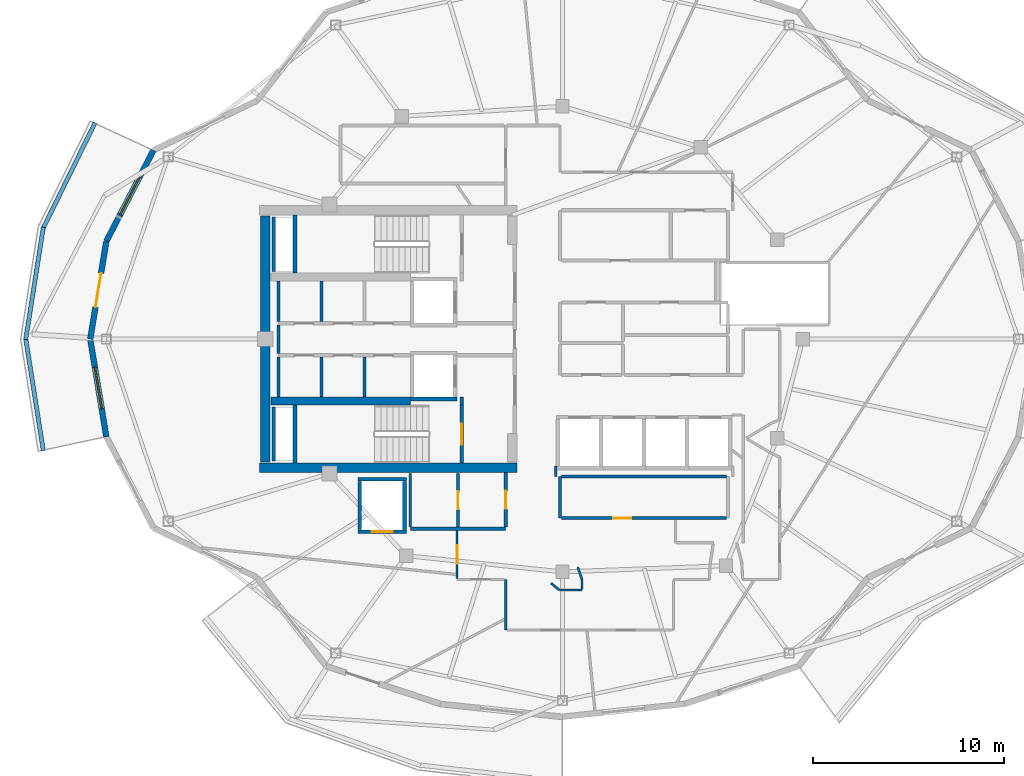
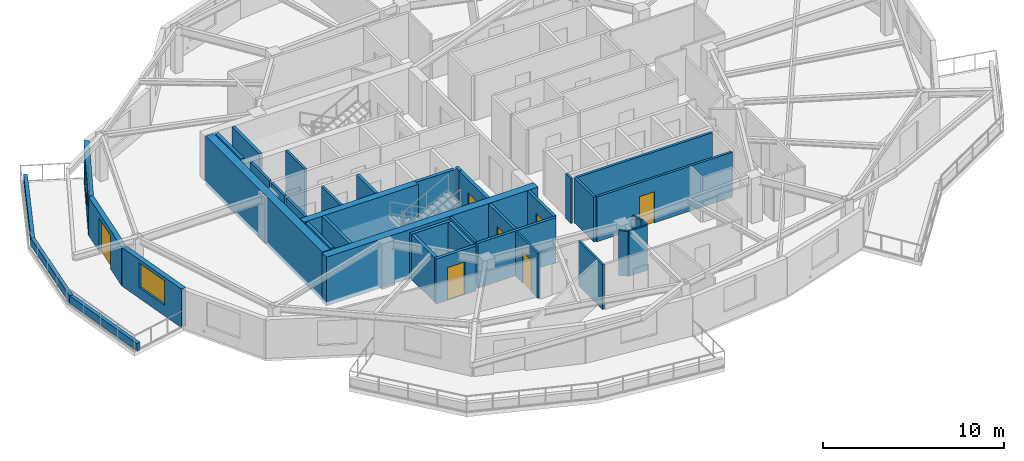
# One storey, part 3 of 10: 40 walls, 7 doors, 2 windows, 9 openings.
"""IFC4 building model written with IfcOpenShell, lengths in metres."""

from ifc_helpers import new_model, si_unit, direction, frame, frame_2d, origin, place, context, subcontext, project, spatial, rectangle, extrude, material, layer, layer_set, type_object, element, fill, save


model = new_model("IFC4")

# Units and contexts
model_context = context("Model", 3, precision=1e-05, world=origin(), true_north=direction((0.0, 1.0)))
body_context = subcontext(model_context, "Body", "Model", "MODEL_VIEW")
ifc_project = project(units=[si_unit("LENGTHUNIT", "METRE"), si_unit("AREAUNIT", "SQUARE_METRE"), si_unit("VOLUMEUNIT", "CUBIC_METRE"), si_unit("PLANEANGLEUNIT", "RADIAN"), si_unit("MASSUNIT", "GRAM", prefix="KILO")], contexts=[model_context])

# Site, building, storey
site_placement = place(None, origin())
site = spatial("IfcSite", under=ifc_project, at=site_placement, CompositionType="ELEMENT")
building_placement = place(site_placement, origin())
building = spatial("IfcBuilding", under=site, at=building_placement, Name="Kolvaren Gate Tower and Convention Centre", CompositionType="ELEMENT")
storey_placement = place(building_placement, frame((0.0, 0.0, 203.0)))
storey = spatial("IfcBuildingStorey", under=building, at=storey_placement, Name="L53", CompositionType="ELEMENT", Elevation=203.0)

# Walls
ifc_material_1 = material(Name="Autoclaved Aerated Masonry Blockwork Class 4 (4.0 MPa)", Category="masonry")
ifc_layer_1 = layer(ifc_material_1, 0.179931640625)
ifc_layer_set_1 = layer_set([ifc_layer_1], Name="Autoclaved Aerated Masonry Blockwork Class 4 (4.0 MPa)")
wall_type_1 = type_object("IfcWallType", Name="ARCH-WL-COMP-180", PredefinedType="SOLIDWALL", material=ifc_layer_set_1)
wall_1_placement = place(storey_placement, frame((24.85009765625, 23.5400390625, 0.0), z_axis=(0.0, 0.0, 1.0), x_axis=(0.0, 1.0, 0.0)))
element("IfcWall", 1, at=wall_1_placement, inside=storey, type_object=wall_type_1, Name="Interior Partition WL-L53-INT-001", PredefinedType="SOLIDWALL", context=body_context, shape_type="SweptSolid", body=[
    extrude(rectangle(XDim=0.419921875, YDim=0.179931640625, at=frame_2d((0.2099609375, 0.0))), origin(), (0.0, 0.0, 1.0), 3.030029296875),
])
wall_2_placement = place(storey_placement, frame((19.75, 23.9619140625, 0.0), z_axis=(0.0, 0.0, 1.0), x_axis=(0.0, 1.0, 0.0)))
element("IfcWall", 2, at=wall_2_placement, inside=storey, type_object=wall_type_1, Name="Interior Partition WL-L53-INT-007", PredefinedType="SOLIDWALL", context=body_context, shape_type="SweptSolid", body=[
    extrude(rectangle(XDim=2.106201171875, YDim=0.179931640625, at=frame_2d((1.05322265625, 0.0))), origin(), (0.0, 0.0, 1.0), 3.030029296875),
])
wall_3_placement = place(storey_placement, frame((22.14990234375, 17.050048828125, 0.0), z_axis=(0.0, 0.0, 1.0), x_axis=(1.0, 0.0, 0.0)))
element("IfcWall", 3, at=wall_3_placement, inside=storey, type_object=wall_type_1, Name="Interior Partition WL-L53-INT-011", PredefinedType="SOLIDWALL", context=body_context, shape_type="SweptSolid", body=[
    extrude(rectangle(XDim=5.0, YDim=0.179931640625, at=frame_2d((2.5, 0.0))), origin(), (0.0, 0.0, 1.0), 3.030029296875),
])

# Wall, opening, door
wall_4_placement = place(storey_placement, frame((24.64990234375, 17.14208984375, 0.0), z_axis=(0.0, 0.0, 1.0), x_axis=(0.0, 1.0, 0.0)))
wall_4 = element("IfcWall", 4, at=wall_4_placement, inside=storey, type_object=wall_type_1, Name="Interior Partition WL-L53-INT-013", PredefinedType="SOLIDWALL", context=body_context, shape_type="SweptSolid", body=[
    extrude(rectangle(XDim=2.807861328125, YDim=0.179931640625, at=frame_2d((1.40380859375, 0.0))), origin(), (0.0, 0.0, 1.0), 3.030029296875),
])
opening_1_placement = place(wall_4_placement, frame((0.928955078125, 0.0, 0.0)))
opening_1 = element("IfcOpeningElement", 5, at=opening_1_placement, cuts=wall_4, Name="Opening DR-01", PredefinedType="OPENING", context=body_context, shape_type="SweptSolid", body=[
    extrude(rectangle(XDim=0.949951171875, YDim=2.10009765625, at=frame_2d((0.47509765625, 1.050048828125))), frame((0.0, 0.099853515625, 0.0), z_axis=(0.0, -1.0, 0.0), x_axis=(1.0, 0.0, 0.0)), (0.0, 0.0, 1.0), 0.199951171875),
])
ifc_material_2 = material(Name="Painted Architectural Steelwork ASTM A500 Grade C 345 MPa", Category="steel")
door_type_1 = type_object("IfcDoorType", Name="ARCH-DR-RISER-950", OperationType="SINGLE_SWING_RIGHT", PredefinedType="DOOR", material=ifc_material_2)
door_1_placement = place(opening_1_placement, origin())
door_1 = element("IfcDoor", 6, at=door_1_placement, inside=storey, type_object=door_type_1, Name="West Valet Store Door", OperationType="SINGLE_SWING_LEFT", OverallHeight=2.10009765625, OverallWidth=0.949951171875, PredefinedType="DOOR", context=body_context, shape_type="SweptSolid", body=[
    extrude(rectangle(XDim=0.949951171875, YDim=2.10009765625, at=frame_2d((0.47509765625, 1.050048828125))), frame((0.0, 0.02490234375, 0.0), z_axis=(0.0, -1.0, 0.0), x_axis=(1.0, 0.0, 0.0)), (0.0, 0.0, 1.0), 0.050048828125),
])
fill(opening_1, door_1)

wall_5_placement = place(storey_placement, frame((27.14990234375, 17.14208984375, 0.0), z_axis=(0.0, 0.0, 1.0), x_axis=(0.0, 1.0, 0.0)))
wall_5 = element("IfcWall", 7, at=wall_5_placement, inside=storey, type_object=wall_type_1, Name="Interior Partition WL-L53-INT-015", PredefinedType="SOLIDWALL", context=body_context, shape_type="SweptSolid", body=[
    extrude(rectangle(XDim=2.85595703125, YDim=0.179931640625, at=frame_2d((1.427978515625, 0.0))), origin(), (0.0, 0.0, 1.0), 3.030029296875),
])
opening_2_placement = place(wall_5_placement, frame((0.952880859375, 0.0, 0.0)))
opening_2 = element("IfcOpeningElement", 8, at=opening_2_placement, cuts=wall_5, Name="Opening DR-01", PredefinedType="OPENING", context=body_context, shape_type="SweptSolid", body=[
    extrude(rectangle(XDim=0.949951171875, YDim=2.10009765625, at=frame_2d((0.47509765625, 1.050048828125))), frame((0.0, 0.099853515625, 0.0), z_axis=(0.0, -1.0, 0.0), x_axis=(1.0, 0.0, 0.0)), (0.0, 0.0, 1.0), 0.199951171875),
])
door_2_placement = place(opening_2_placement, origin())
door_2 = element("IfcDoor", 9, at=door_2_placement, inside=storey, type_object=door_type_1, Name="Metering Switch Room Door", OperationType="SINGLE_SWING_LEFT", OverallHeight=2.10009765625, OverallWidth=0.949951171875, PredefinedType="DOOR", context=body_context, shape_type="SweptSolid", body=[
    extrude(rectangle(XDim=0.949951171875, YDim=2.10009765625, at=frame_2d((0.47509765625, 1.050048828125))), frame((0.0, 0.02490234375, 0.0), z_axis=(0.0, -1.0, 0.0), x_axis=(1.0, 0.0, 0.0)), (0.0, 0.0, 1.0), 0.050048828125),
])
fill(opening_2, door_2)

# Walls
ifc_material_3 = material(Name="Fire-Rated Acoustic Gypsum Stud Partition", Category="gypsum")
ifc_layer_2 = layer(ifc_material_3, 0.1201171875)
ifc_layer_set_2 = layer_set([ifc_layer_2], Name="Fire-Rated Acoustic Gypsum Stud Partition")
wall_type_2 = type_object("IfcWallType", Name="ARCH-WL-PART-120", PredefinedType="PARTITIONING", material=ifc_layer_set_2)
wall_6_placement = place(storey_placement, frame((27.14990234375, 11.75, 0.0), z_axis=(0.0, 0.0, 1.0), x_axis=(0.0, 1.0, 0.0)))
element("IfcWall", 10, at=wall_6_placement, inside=storey, type_object=wall_type_2, Name="Interior Partition WL-L53-INT-014", PredefinedType="PARTITIONING", context=body_context, shape_type="SweptSolid", body=[
    extrude(rectangle(XDim=2.64990234375, YDim=0.1201171875, at=frame_2d((1.324951171875, 0.0))), origin(), (0.0, 0.0, 1.0), 3.030029296875),
])
wall_7_placement = place(storey_placement, frame((29.780029296875, 19.800048828125, 0.0), z_axis=(0.0, 0.0, 1.0), x_axis=(0.0, 1.0, 0.0)))
element("IfcWall", 11, at=wall_7_placement, inside=storey, type_object=wall_type_2, Name="Interior Partition WL-L53-INT-056", PredefinedType="PARTITIONING", context=body_context, shape_type="SweptSolid", body=[
    extrude(rectangle(XDim=0.56005859375, YDim=0.1201171875, at=frame_2d((0.280029296875, 0.0))), origin(), (0.0, 0.0, 1.0), 3.030029296875),
])

# Wall, opening, door
wall_8_placement = place(storey_placement, frame((24.60009765625, 14.4619140625, 0.0), z_axis=(0.0, 0.0, 1.0), x_axis=(0.0, 1.0, 0.0)))
wall_8 = element("IfcWall", 12, at=wall_8_placement, inside=storey, type_object=wall_type_2, Name="Interior Partition WL-L53-INT-063", PredefinedType="PARTITIONING", context=body_context, shape_type="SweptSolid", body=[
    extrude(rectangle(XDim=2.49609375, YDim=0.1201171875, at=frame_2d((1.248046875, 0.0))), origin(), (0.0, 0.0, 1.0), 3.030029296875),
])
opening_3_placement = place(wall_8_placement, frame((0.77294921875, 0.0, 0.0)))
opening_3 = element("IfcOpeningElement", 13, at=opening_3_placement, cuts=wall_8, Name="Opening DR-01", PredefinedType="OPENING", context=body_context, shape_type="SweptSolid", body=[
    extrude(rectangle(XDim=0.949951171875, YDim=2.10009765625, at=frame_2d((0.47509765625, 1.050048828125))), frame((0.0, 0.070068359375, 0.0), z_axis=(0.0, -1.0, 0.0), x_axis=(1.0, 0.0, 0.0)), (0.0, 0.0, 1.0), 0.14013671875),
])
door_3_placement = place(opening_3_placement, origin())
door_3 = element("IfcDoor", 14, at=door_3_placement, inside=storey, type_object=door_type_1, Name="Resident Private Study and Home Office Door", OperationType="SINGLE_SWING_RIGHT", OverallHeight=2.10009765625, OverallWidth=0.949951171875, PredefinedType="DOOR", context=body_context, shape_type="SweptSolid", body=[
    extrude(rectangle(XDim=0.949951171875, YDim=2.10009765625, at=frame_2d((0.47509765625, 1.050048828125))), frame((0.0, 0.02490234375, 0.0), z_axis=(0.0, -1.0, 0.0), x_axis=(1.0, 0.0, 0.0)), (0.0, 0.0, 1.0), 0.050048828125),
])
fill(opening_3, door_3)

# Walls
wall_9_placement = place(storey_placement, frame((29.9599609375, 13.85009765625, 0.0), z_axis=(0.0, 0.0, 1.0), x_axis=(1.0, 0.0, 0.0)))
element("IfcWall", 15, at=wall_9_placement, inside=storey, type_object=wall_type_2, Name="Interior Partition WL-L53-INT-064", PredefinedType="PARTITIONING", context=body_context, shape_type="SweptSolid", body=[
    extrude(rectangle(XDim=1.18994140625, YDim=0.1201171875, at=frame_2d((0.594970703125, 0.0))), origin(), (0.0, 0.0, 1.0), 3.030029296875),
])
wall_10_placement = place(storey_placement, frame((31.14990234375, 13.912109375, 0.0), z_axis=(0.0, 0.0, 1.0), x_axis=(0.0, 1.0, 0.0)))
element("IfcWall", 16, at=wall_10_placement, inside=storey, type_object=wall_type_2, Name="Interior Partition WL-L53-INT-065", PredefinedType="PARTITIONING", context=body_context, shape_type="SweptSolid", body=[
    extrude(rectangle(XDim=0.48779296875, YDim=0.1201171875, at=frame_2d((0.243896484375, 0.0))), origin(), (0.0, 0.0, 1.0), 3.030029296875),
])
wall_11_placement = place(storey_placement, frame((30.928955078125, 15.0439453125, 0.0), z_axis=(0.0, 0.0, 1.0), x_axis=(0.324498492416, -0.945886213252, 0.0)))
element("IfcWall", 17, at=wall_11_placement, inside=storey, type_object=wall_type_2, Name="Interior Partition WL-L53-INT-066", PredefinedType="PARTITIONING", context=body_context, shape_type="SweptSolid", body=[
    extrude(rectangle(XDim=0.680908203125, YDim=0.1201171875, at=frame_2d((0.34033203125, 0.0))), origin(), (0.0, 0.0, 1.0), 3.030029296875),
])
wall_12_placement = place(storey_placement, frame((29.531005859375, 14.2060546875, 0.0), z_axis=(0.0, 0.0, 1.0), x_axis=(0.7695479554, -0.638589026166, 0.0)))
element("IfcWall", 18, at=wall_12_placement, inside=storey, type_object=wall_type_2, Name="Interior Partition WL-L53-INT-067", PredefinedType="PARTITIONING", context=body_context, shape_type="SweptSolid", body=[
    extrude(rectangle(XDim=0.557373046875, YDim=0.1201171875, at=frame_2d((0.27880859375, 0.0))), origin(), (0.0, 0.0, 1.0), 3.030029296875),
])
ifc_material_4 = material(Name="Piedmont Cream Honed Limestone Cladding", Category="masonry")
ifc_layer_3 = layer(ifc_material_4, 0.219970703125)
ifc_layer_set_3 = layer_set([ifc_layer_3], Name="Piedmont Cream Honed Limestone Cladding")
wall_type_3 = type_object("IfcWallType", Name="ARCH-WL-PLANTER-220", PredefinedType="PARAPET", material=ifc_layer_set_3)
wall_13_placement = place(storey_placement, frame((2.905517578125, 32.8037109375, 0.0), z_axis=(0.0, 0.0, 1.0), x_axis=(0.441640961804, 0.897191875162, 0.0)))
element("IfcWall", 19, at=wall_13_placement, inside=storey, type_object=wall_type_3, Name="Vertical-Forest Balcony Stone Planter Kerb PK-L53-2.1", PredefinedType="PARAPET", context=body_context, shape_type="SweptSolid", body=[
    extrude(rectangle(XDim=6.17822265625, YDim=0.219970703125, at=frame_2d((3.089111328125, 0.0))), origin(), (0.0, 0.0, 1.0), 0.52001953125),
])
for number, where, z_axis, x_axis, name in (
    (20, (1.993408203125, 26.970703125, 0.0), (0.0, 0.0, 1.0), (0.1550711793, 0.987903299595, 0.0), "Vertical-Forest Balcony Stone Planter Kerb PK-L53-2.2"),
    (21, (1.993408203125, 27.029296875, 0.0), (0.0, 0.0, 1.0), (0.1550711793, -0.987903299595, 0.0), "Vertical-Forest Balcony Stone Planter Kerb PK-L53-2.3"),
):
    element("IfcWall", number, at=place(storey_placement, frame(where, z_axis=z_axis, x_axis=x_axis)), inside=storey, type_object=wall_type_3, Name=name, PredefinedType="PARAPET", context=body_context, shape_type="SweptSolid", body=[
        extrude(rectangle(XDim=5.963623046875, YDim=0.219970703125, at=frame_2d((2.98193359375, 0.0))), origin(), (0.0, 0.0, 1.0), 0.52001953125),
    ])
ifc_layer_4 = layer(ifc_material_1, 0.199951171875)
ifc_layer_set_4 = layer_set([ifc_layer_4], Name="Autoclaved Aerated Masonry Blockwork Class 4 (4.0 MPa)")
wall_type_4 = type_object("IfcWallType", Name="ARCH-WL-SHAFT-200", PredefinedType="SOLIDWALL", material=ifc_layer_set_4)
wall_14_placement = place(storey_placement, frame((22.14990234375, 23.860107421875, 0.0), z_axis=(0.0, 0.0, 1.0), x_axis=(1.0, 0.0, 0.0)))
element("IfcWall", 22, at=wall_14_placement, inside=storey, type_object=wall_type_4, Name="Elevator FF-02 L53 Fire Shaft Wall S", PredefinedType="SOLIDWALL", context=body_context, shape_type="SweptSolid", body=[
    extrude(rectangle(XDim=2.4501953125, YDim=0.199951171875, at=frame_2d((1.22509765625, 0.0))), origin(), (0.0, 0.0, 1.0), 3.030029296875),
])
wall_15_placement = place(storey_placement, frame((19.39990234375, 19.64990234375, 0.0), z_axis=(0.0, 0.0, 1.0), x_axis=(1.0, 0.0, 0.0)))
element("IfcWall", 23, at=wall_15_placement, inside=storey, type_object=wall_type_4, Name="Elevator SV-01 L53 Fire Shaft Wall N", PredefinedType="SOLIDWALL", context=body_context, shape_type="SweptSolid", body=[
    extrude(rectangle(XDim=2.550048828125, YDim=0.199951171875, at=frame_2d((1.27490234375, 0.0))), origin(), (0.0, 0.0, 1.0), 3.030029296875),
])

# Wall, opening, door
wall_16_placement = place(storey_placement, frame((19.39990234375, 16.89990234375, 0.0), z_axis=(0.0, 0.0, 1.0), x_axis=(1.0, 0.0, 0.0)))
wall_16 = element("IfcWall", 24, at=wall_16_placement, inside=storey, type_object=wall_type_4, Name="Elevator SV-01 L53 Fire Shaft Wall S", PredefinedType="SOLIDWALL", context=body_context, shape_type="SweptSolid", body=[
    extrude(rectangle(XDim=2.550048828125, YDim=0.199951171875, at=frame_2d((1.27490234375, 0.0))), origin(), (0.0, 0.0, 1.0), 3.030029296875),
])
opening_4_placement = place(wall_16_placement, frame((0.72509765625, 0.0, 0.0)))
opening_4 = element("IfcOpeningElement", 25, at=opening_4_placement, cuts=wall_16, Name="Opening LD", PredefinedType="OPENING", context=body_context, shape_type="SweptSolid", body=[
    extrude(rectangle(XDim=1.10009765625, YDim=2.199951171875, at=frame_2d((0.550048828125, 1.10009765625))), frame((0.0, 0.10986328125, 0.0), z_axis=(0.0, -1.0, 0.0), x_axis=(1.0, 0.0, 0.0)), (0.0, 0.0, 1.0), 0.219970703125),
])
ifc_material_5 = material(Name="Brushed Stainless Steel Grade 316L", Category="steel")
door_type_2 = type_object("IfcDoorType", Name="ARCH-DR-LIFT-1100", OperationType="SLIDING_TO_LEFT", PredefinedType="DOOR", material=ifc_material_5)
door_4_placement = place(opening_4_placement, origin())
door_4 = element("IfcDoor", 26, at=door_4_placement, inside=storey, type_object=door_type_2, Name="Elevator SV-01 L53 Sliding Landing Door", OperationType="SLIDING_TO_LEFT", OverallHeight=2.199951171875, OverallWidth=1.10009765625, PredefinedType="DOOR", context=body_context, shape_type="SweptSolid", body=[
    extrude(rectangle(XDim=1.10009765625, YDim=2.199951171875, at=frame_2d((0.550048828125, 1.10009765625))), frame((0.0, 0.02490234375, 0.0), z_axis=(0.0, -1.0, 0.0), x_axis=(1.0, 0.0, 0.0)), (0.0, 0.0, 1.0), 0.050048828125),
])
fill(opening_4, door_4)

# Walls
for number, where, z_axis, x_axis, name in (
    (27, (19.5, 17.010009765625, 0.0), (0.0, 0.0, 1.0), (0.0, 1.0, 0.0), "Elevator SV-01 L53 Fire Shaft Wall W"),
    (28, (21.85009765625, 17.010009765625, 0.0), (0.0, 0.0, 1.0), (0.0, 1.0, 0.0), "Elevator SV-01 L53 Fire Shaft Wall E"),
):
    element("IfcWall", number, at=place(storey_placement, frame(where, z_axis=z_axis, x_axis=x_axis)), inside=storey, type_object=wall_type_4, Name=name, PredefinedType="SOLIDWALL", context=body_context, shape_type="SweptSolid", body=[
        extrude(rectangle(XDim=2.530029296875, YDim=0.199951171875, at=frame_2d((1.26513671875, 0.0))), origin(), (0.0, 0.0, 1.0), 3.030029296875),
    ])
for number, where, z_axis, x_axis, name in (
    (29, (14.989990234375, 30.550048828125, 0.0), (0.0, 0.0, 1.0), (0.0, 1.0, 0.0), "Vertical Shaft HVR L53 EI-120 Enclosure Wall W"),
    (30, (14.989990234375, 20.60009765625, 0.0), (0.0, 0.0, 1.0), (0.0, 1.0, 0.0), "Vertical Shaft MPR L53 EI-120 Enclosure Wall W"),
):
    element("IfcWall", number, at=place(storey_placement, frame(where, z_axis=z_axis, x_axis=x_axis)), inside=storey, type_object=wall_type_4, Name=name, PredefinedType="SOLIDWALL", context=body_context, shape_type="SweptSolid", body=[
        extrude(rectangle(XDim=2.849853515625, YDim=0.199951171875, at=frame_2d((1.4248046875, 0.0))), origin(), (0.0, 0.0, 1.0), 3.030029296875),
    ])

# Wall, opening, window
ifc_layer_5 = layer(ifc_material_4, 0.300048828125)
ifc_layer_set_5 = layer_set([ifc_layer_5], Name="Piedmont Cream Honed Limestone Cladding")
wall_type_5 = type_object("IfcWallType", Name="ARCH-WL-STONE-300", PredefinedType="SOLIDWALL", material=ifc_layer_set_5)
wall_17_placement = place(storey_placement, frame((6.21826171875, 32.12451171875, 0.0), z_axis=(0.0, 0.0, 1.0), x_axis=(0.459808219482, 0.888018243786, 0.0)))
wall_17 = element("IfcWall", 31, at=wall_17_placement, inside=storey, type_object=wall_type_5, Name="Tower L53 Honed Stone Spandrel Wall EW-10", PredefinedType="SOLIDWALL", context=body_context, shape_type="SweptSolid", body=[
    extrude(rectangle(XDim=5.377685546875, YDim=0.300048828125, at=frame_2d((2.68896484375, 0.0))), origin(), (0.0, 0.0, 1.0), 2.60498046875),
])
opening_5_placement = place(wall_17_placement, frame((1.589111328125, 0.0, 0.719970703125)))
opening_5 = element("IfcOpeningElement", 32, at=opening_5_placement, cuts=wall_17, Name="Opening W-03", PredefinedType="OPENING", context=body_context, shape_type="SweptSolid", body=[
    extrude(rectangle(XDim=2.199951171875, YDim=1.64990234375, at=frame_2d((1.10009765625, 0.824951171875))), frame((0.0, 0.159912109375, 0.0), z_axis=(0.0, -1.0, 0.0), x_axis=(1.0, 0.0, 0.0)), (0.0, 0.0, 1.0), 0.320068359375),
])
ifc_material_6 = material(Name="Low-E Triple Insulated Glazing Unit 44 mm", Category="glass")
window_type = type_object("IfcWindowType", Name="ARCH-WN-RES-2200", PartitioningType="SINGLE_PANEL", PredefinedType="WINDOW", material=ifc_material_6)
window_1_placement = place(opening_5_placement, origin())
window_1 = element("IfcWindow", 33, at=window_1_placement, inside=storey, type_object=window_type, Name="Tower L53 Punched Stone Facade Window W-10", OverallHeight=1.64990234375, OverallWidth=2.199951171875, PartitioningType="SINGLE_PANEL", PredefinedType="WINDOW", context=body_context, shape_type="SweptSolid", body=[
    extrude(rectangle(XDim=2.199951171875, YDim=1.64990234375, at=frame_2d((1.10009765625, 0.824951171875))), frame((0.0, 0.030029296875, 0.0), z_axis=(0.0, -1.0, 0.0), x_axis=(1.0, 0.0, 0.0)), (0.0, 0.0, 1.0), 0.06005859375),
])
fill(opening_5, window_1)

# Wall, opening, door
wall_18_placement = place(storey_placement, frame((5.375, 27.0, 0.0), z_axis=(0.0, 0.0, 1.0), x_axis=(0.16237087798, 0.986729799886, 0.0)))
wall_18 = element("IfcWall", 34, at=wall_18_placement, inside=storey, type_object=wall_type_5, Name="Tower L53 Honed Stone Spandrel Wall EW-11", PredefinedType="SOLIDWALL", context=body_context, shape_type="SweptSolid", body=[
    extrude(rectangle(XDim=5.193359375, YDim=0.300048828125, at=frame_2d((2.5966796875, 0.0))), origin(), (0.0, 0.0, 1.0), 2.60498046875),
])
opening_6_placement = place(wall_18_placement, frame((1.697021484375, 0.0, 0.0)))
opening_6 = element("IfcOpeningElement", 35, at=opening_6_placement, cuts=wall_18, Name="Opening DB-01", PredefinedType="OPENING", context=body_context, shape_type="SweptSolid", body=[
    extrude(rectangle(XDim=1.800048828125, YDim=2.25, at=frame_2d((0.89990234375, 1.125))), frame((0.0, 0.159912109375, 0.0), z_axis=(0.0, -1.0, 0.0), x_axis=(1.0, 0.0, 0.0)), (0.0, 0.0, 1.0), 0.320068359375),
])
ifc_material_7 = material(Name="Anodized Architectural Aluminium Alloy 6063-T6", Category="aluminium")
door_type_3 = type_object("IfcDoorType", Name="ARCH-DR-BALC-1800", OperationType="SLIDING_TO_LEFT", PredefinedType="DOOR", material=ifc_material_7)
door_5_placement = place(opening_6_placement, origin())
door_5 = element("IfcDoor", 36, at=door_5_placement, inside=storey, type_object=door_type_3, Name="Planted Sky Terrace Access Door DB-L53-11", OperationType="SLIDING_TO_LEFT", OverallHeight=2.25, OverallWidth=1.800048828125, PredefinedType="DOOR", context=body_context, shape_type="SweptSolid", body=[
    extrude(rectangle(XDim=1.800048828125, YDim=2.25, at=frame_2d((0.89990234375, 1.125))), frame((0.0, 0.02490234375, 0.0), z_axis=(0.0, -1.0, 0.0), x_axis=(1.0, 0.0, 0.0)), (0.0, 0.0, 1.0), 0.050048828125),
])
fill(opening_6, door_5)

# Wall, opening, window
wall_19_placement = place(storey_placement, frame((5.375, 27.0, 0.0), z_axis=(0.0, 0.0, 1.0), x_axis=(0.16237087798, -0.986729799886, 0.0)))
wall_19 = element("IfcWall", 37, at=wall_19_placement, inside=storey, type_object=wall_type_5, Name="Tower L53 Honed Stone Spandrel Wall EW-12", PredefinedType="SOLIDWALL", context=body_context, shape_type="SweptSolid", body=[
    extrude(rectangle(XDim=5.193359375, YDim=0.300048828125, at=frame_2d((2.5966796875, 0.0))), origin(), (0.0, 0.0, 1.0), 2.60498046875),
])
opening_7_placement = place(wall_19_placement, frame((1.4970703125, 0.0, 0.719970703125)))
opening_7 = element("IfcOpeningElement", 38, at=opening_7_placement, cuts=wall_19, Name="Opening W-03", PredefinedType="OPENING", context=body_context, shape_type="SweptSolid", body=[
    extrude(rectangle(XDim=2.199951171875, YDim=1.64990234375, at=frame_2d((1.10009765625, 0.824951171875))), frame((0.0, 0.159912109375, 0.0), z_axis=(0.0, -1.0, 0.0), x_axis=(1.0, 0.0, 0.0)), (0.0, 0.0, 1.0), 0.320068359375),
])
window_2_placement = place(opening_7_placement, origin())
window_2 = element("IfcWindow", 39, at=window_2_placement, inside=storey, type_object=window_type, Name="Tower L53 Punched Stone Facade Window W-12", OverallHeight=1.64990234375, OverallWidth=2.199951171875, PartitioningType="SINGLE_PANEL", PredefinedType="WINDOW", context=body_context, shape_type="SweptSolid", body=[
    extrude(rectangle(XDim=2.199951171875, YDim=1.64990234375, at=frame_2d((1.10009765625, 0.824951171875))), frame((0.0, 0.030029296875, 0.0), z_axis=(0.0, -1.0, 0.0), x_axis=(1.0, 0.0, 0.0)), (0.0, 0.0, 1.0), 0.06005859375),
])
fill(opening_7, window_2)

# Walls
ifc_material_8 = material(Name="Moisture-Resistant Cement-Board Acoustic Partition", Category="gypsum")
ifc_layer_6 = layer(ifc_material_8, 0.14990234375)
ifc_layer_set_6 = layer_set([ifc_layer_6], Name="Moisture-Resistant Cement-Board Acoustic Partition")
wall_type_6 = type_object("IfcWallType", Name="ARCH-WL-WET-150", PredefinedType="PARTITIONING", material=ifc_layer_set_6)
wall_20_placement = place(storey_placement, frame((15.25, 23.9619140625, 0.0), z_axis=(0.0, 0.0, 1.0), x_axis=(0.0, 1.0, 0.0)))
element("IfcWall", 40, at=wall_20_placement, inside=storey, type_object=wall_type_6, Name="Interior Partition WL-L53-INT-006", PredefinedType="PARTITIONING", context=body_context, shape_type="SweptSolid", body=[
    extrude(rectangle(XDim=2.106201171875, YDim=0.14990234375, at=frame_2d((1.05322265625, 0.0))), origin(), (0.0, 0.0, 1.0), 3.030029296875),
])
wall_21_placement = place(storey_placement, frame((15.25, 26.251953125, 0.0), z_axis=(0.0, 0.0, 1.0), x_axis=(0.0, 1.0, 0.0)))
element("IfcWall", 41, at=wall_21_placement, inside=storey, type_object=wall_type_6, Name="Interior Partition WL-L53-INT-006 (2)", PredefinedType="PARTITIONING", context=body_context, shape_type="SweptSolid", body=[
    extrude(rectangle(XDim=1.49609375, YDim=0.14990234375, at=frame_2d((0.748046875, 0.0))), origin(), (0.0, 0.0, 1.0), 3.030029296875),
])
for number, where, z_axis, x_axis, name in (
    (42, (15.25, 27.931884765625, 0.0), (0.0, 0.0, 1.0), (0.0, 1.0, 0.0), "Interior Partition WL-L53-INT-006 (3)"),
    (43, (17.5, 23.9619140625, 0.0), (0.0, 0.0, 1.0), (0.0, 1.0, 0.0), "Interior Partition WL-L53-INT-009"),
    (44, (17.5, 27.931884765625, 0.0), (0.0, 0.0, 1.0), (0.0, 1.0, 0.0), "Interior Partition WL-L53-INT-010"),
):
    element("IfcWall", number, at=place(storey_placement, frame(where, z_axis=z_axis, x_axis=x_axis)), inside=storey, type_object=wall_type_6, Name=name, PredefinedType="PARTITIONING", context=body_context, shape_type="SweptSolid", body=[
        extrude(rectangle(XDim=2.106201171875, YDim=0.14990234375, at=frame_2d((1.05322265625, 0.0))), origin(), (0.0, 0.0, 1.0), 3.030029296875),
    ])
wall_22_placement = place(storey_placement, frame((22.14990234375, 17.14208984375, 0.0), z_axis=(0.0, 0.0, 1.0), x_axis=(0.0, 1.0, 0.0)))
element("IfcWall", 45, at=wall_22_placement, inside=storey, type_object=wall_type_6, Name="Interior Partition WL-L53-INT-012", PredefinedType="PARTITIONING", context=body_context, shape_type="SweptSolid", body=[
    extrude(rectangle(XDim=2.807861328125, YDim=0.14990234375, at=frame_2d((1.40380859375, 0.0))), origin(), (0.0, 0.0, 1.0), 3.030029296875),
])
wall_23_placement = place(storey_placement, frame((30.0, 17.6201171875, 0.0), z_axis=(0.0, 0.0, 1.0), x_axis=(0.0, 1.0, 0.0)))
element("IfcWall", 46, at=wall_23_placement, inside=storey, type_object=wall_type_6, Name="Interior Partition WL-L53-INT-018", PredefinedType="PARTITIONING", context=body_context, shape_type="SweptSolid", body=[
    extrude(rectangle(XDim=2.179931640625, YDim=0.14990234375, at=frame_2d((1.08984375, 0.0))), origin(), (0.0, 0.0, 1.0), 3.030029296875),
])

# Wall, opening, door
wall_24_placement = place(storey_placement, frame((30.076904296875, 17.6201171875, 0.0), z_axis=(0.0, 0.0, 1.0), x_axis=(1.0, 0.0, 0.0)))
wall_24 = element("IfcWall", 47, at=wall_24_placement, inside=storey, type_object=wall_type_6, Name="Interior Partition WL-L53-INT-032", PredefinedType="PARTITIONING", context=body_context, shape_type="SweptSolid", body=[
    extrude(rectangle(XDim=8.64599609375, YDim=0.14990234375, at=frame_2d((4.322998046875, 0.0))), origin(), (0.0, 0.0, 1.0), 3.030029296875),
])
opening_8_placement = place(wall_24_placement, frame((2.716552734375, 0.0, 0.0)))
opening_8 = element("IfcOpeningElement", 48, at=opening_8_placement, cuts=wall_24, Name="Opening DR-01", PredefinedType="OPENING", context=body_context, shape_type="SweptSolid", body=[
    extrude(rectangle(XDim=0.949951171875, YDim=2.10009765625, at=frame_2d((0.47509765625, 1.050048828125))), frame((0.0, 0.0849609375, 0.0), z_axis=(0.0, -1.0, 0.0), x_axis=(1.0, 0.0, 0.0)), (0.0, 0.0, 1.0), 0.169921875),
])
door_6_placement = place(opening_8_placement, origin())
door_6 = element("IfcDoor", 49, at=door_6_placement, inside=storey, type_object=door_type_1, Name="Resident Luggage Store Door", OperationType="SINGLE_SWING_RIGHT", OverallHeight=2.10009765625, OverallWidth=0.949951171875, PredefinedType="DOOR", context=body_context, shape_type="SweptSolid", body=[
    extrude(rectangle(XDim=0.949951171875, YDim=2.10009765625, at=frame_2d((0.47509765625, 1.050048828125))), frame((0.0, 0.02490234375, 0.0), z_axis=(0.0, -1.0, 0.0), x_axis=(1.0, 0.0, 0.0)), (0.0, 0.0, 1.0), 0.050048828125),
])
fill(opening_8, door_6)

# Walls
wall_25_placement = place(storey_placement, frame((30.076904296875, 19.800048828125, 0.0), z_axis=(0.0, 0.0, 1.0), x_axis=(1.0, 0.0, 0.0)))
element("IfcWall", 50, at=wall_25_placement, inside=storey, type_object=wall_type_6, Name="Interior Partition WL-L53-INT-033", PredefinedType="PARTITIONING", context=body_context, shape_type="SweptSolid", body=[
    extrude(rectangle(XDim=8.64599609375, YDim=0.14990234375, at=frame_2d((4.322998046875, 0.0))), origin(), (0.0, 0.0, 1.0), 3.030029296875),
])
ifc_material_9 = material(Name="Concrete C50/60", Category="concrete")
ifc_layer_7 = layer(ifc_material_9, 0.419921875)
ifc_layer_set_7 = layer_set([ifc_layer_7], Name="Concrete C50/60")
wall_type_7 = type_object("IfcWallType", Name="STR-WL-CONV-420", PredefinedType="SHEAR", material=ifc_layer_set_7)
wall_26_placement = place(storey_placement, frame((14.85009765625, 23.75, -0.27001953125), z_axis=(0.0, 0.0, 1.0), x_axis=(1.0, 0.0, 0.0)))
element("IfcWall", 51, at=wall_26_placement, inside=storey, type_object=wall_type_7, Name="Tower L53 Offset Core Shear Wall WS", PredefinedType="SHEAR", context=body_context, shape_type="SweptSolid", body=[
    extrude(rectangle(XDim=7.2998046875, YDim=0.419921875, at=frame_2d((3.64990234375, 0.0))), origin(), (0.0, 0.0, 1.0), 3.300048828125),
])
ifc_layer_8 = layer(ifc_material_9, 0.5)
ifc_layer_set_8 = layer_set([ifc_layer_8], Name="Concrete C50/60")
wall_type_8 = type_object("IfcWallType", Name="STR-WL-CORE-500", PredefinedType="SHEAR", material=ifc_layer_set_8)
wall_27_placement = place(storey_placement, frame((14.25, 20.25, -0.27001953125), z_axis=(0.0, 0.0, 1.0), x_axis=(1.0, 0.0, 0.0)))
element("IfcWall", 52, at=wall_27_placement, inside=storey, type_object=wall_type_8, Name="Tower L53 Offset Core Shear Wall S", PredefinedType="SHEAR", context=body_context, shape_type="SweptSolid", body=[
    extrude(rectangle(XDim=13.5, YDim=0.5, at=frame_2d((6.75, 0.0))), origin(), (0.0, 0.0, 1.0), 3.300048828125),
])
wall_28_placement = place(storey_placement, frame((14.550048828125, 20.550048828125, -0.27001953125), z_axis=(0.0, 0.0, 1.0), x_axis=(0.0, 1.0, 0.0)))
element("IfcWall", 53, at=wall_28_placement, inside=storey, type_object=wall_type_8, Name="Tower L53 Offset Core Shear Wall W", PredefinedType="SHEAR", context=body_context, shape_type="SweptSolid", body=[
    extrude(rectangle(XDim=12.89990234375, YDim=0.5, at=frame_2d((6.449951171875, 0.0))), origin(), (0.0, 0.0, 1.0), 3.300048828125),
])
ifc_layer_9 = layer(ifc_material_9, 0.199951171875)
ifc_layer_set_9 = layer_set([ifc_layer_9], Name="Concrete C50/60")
wall_type_9 = type_object("IfcWallType", Name="STR-WL-SHAFT-200", PredefinedType="SHEAR", material=ifc_layer_set_9)
wall_29_placement = place(storey_placement, frame((16.10009765625, 30.4619140625, -0.27001953125), z_axis=(0.0, 0.0, 1.0), x_axis=(0.0, 1.0, 0.0)))
element("IfcWall", 54, at=wall_29_placement, inside=storey, type_object=wall_type_9, Name="Tower North Exit Stair ST-T1 L53 Structural Shear Enclosure Wall FAR", PredefinedType="SHEAR", context=body_context, shape_type="SweptSolid", body=[
    extrude(rectangle(XDim=3.0361328125, YDim=0.199951171875, at=frame_2d((1.51806640625, 0.0))), origin(), (0.0, 0.0, 1.0), 3.300048828125),
])

# Wall, opening, door
wall_30_placement = place(storey_placement, frame((24.85009765625, 20.501953125, -0.27001953125), z_axis=(0.0, 0.0, 1.0), x_axis=(0.0, 1.0, 0.0)))
wall_30 = element("IfcWall", 55, at=wall_30_placement, inside=storey, type_object=wall_type_9, Name="Tower South Exit Stair ST-T2 L53 Structural Shear Enclosure Wall NEAR", PredefinedType="SHEAR", context=body_context, shape_type="SweptSolid", body=[
    extrude(rectangle(XDim=3.0380859375, YDim=0.199951171875, at=frame_2d((1.51904296875, 0.0))), origin(), (0.0, 0.0, 1.0), 3.300048828125),
])
opening_9_placement = place(wall_30_placement, frame((0.968994140625, 0.0, 0.27001953125)))
opening_9 = element("IfcOpeningElement", 56, at=opening_9_placement, cuts=wall_30, Name="Opening DS-01", PredefinedType="OPENING", context=body_context, shape_type="SweptSolid", body=[
    extrude(rectangle(XDim=1.10009765625, YDim=2.14990234375, at=frame_2d((0.550048828125, 1.074951171875))), frame((0.0, 0.10986328125, 0.0), z_axis=(0.0, -1.0, 0.0), x_axis=(1.0, 0.0, 0.0)), (0.0, 0.0, 1.0), 0.219970703125),
])
door_type_4 = type_object("IfcDoorType", Name="ARCH-DR-STAIR-1100", OperationType="SINGLE_SWING_LEFT", PredefinedType="DOOR", material=ifc_material_2)
door_7_placement = place(opening_9_placement, origin())
door_7 = element("IfcDoor", 57, at=door_7_placement, inside=storey, type_object=door_type_4, Name="Tower South Exit Stair ST-T2 L53 Fire Exit Stair Door", OperationType="SINGLE_SWING_LEFT", OverallHeight=2.14990234375, OverallWidth=1.10009765625, PredefinedType="DOOR", context=body_context, shape_type="SweptSolid", body=[
    extrude(rectangle(XDim=1.10009765625, YDim=2.14990234375, at=frame_2d((0.550048828125, 1.074951171875))), frame((0.0, 0.02490234375, 0.0), z_axis=(0.0, -1.0, 0.0), x_axis=(1.0, 0.0, 0.0)), (0.0, 0.0, 1.0), 0.050048828125),
])
fill(opening_9, door_7)

# Wall
wall_31_placement = place(storey_placement, frame((16.10009765625, 20.501953125, -0.27001953125), z_axis=(0.0, 0.0, 1.0), x_axis=(0.0, 1.0, 0.0)))
element("IfcWall", 58, at=wall_31_placement, inside=storey, type_object=wall_type_9, Name="Tower South Exit Stair ST-T2 L53 Structural Shear Enclosure Wall FAR", PredefinedType="SHEAR", context=body_context, shape_type="SweptSolid", body=[
    extrude(rectangle(XDim=3.0361328125, YDim=0.199951171875, at=frame_2d((1.51806640625, 0.0))), origin(), (0.0, 0.0, 1.0), 3.300048828125),
])

save(model, "model.ifc")
